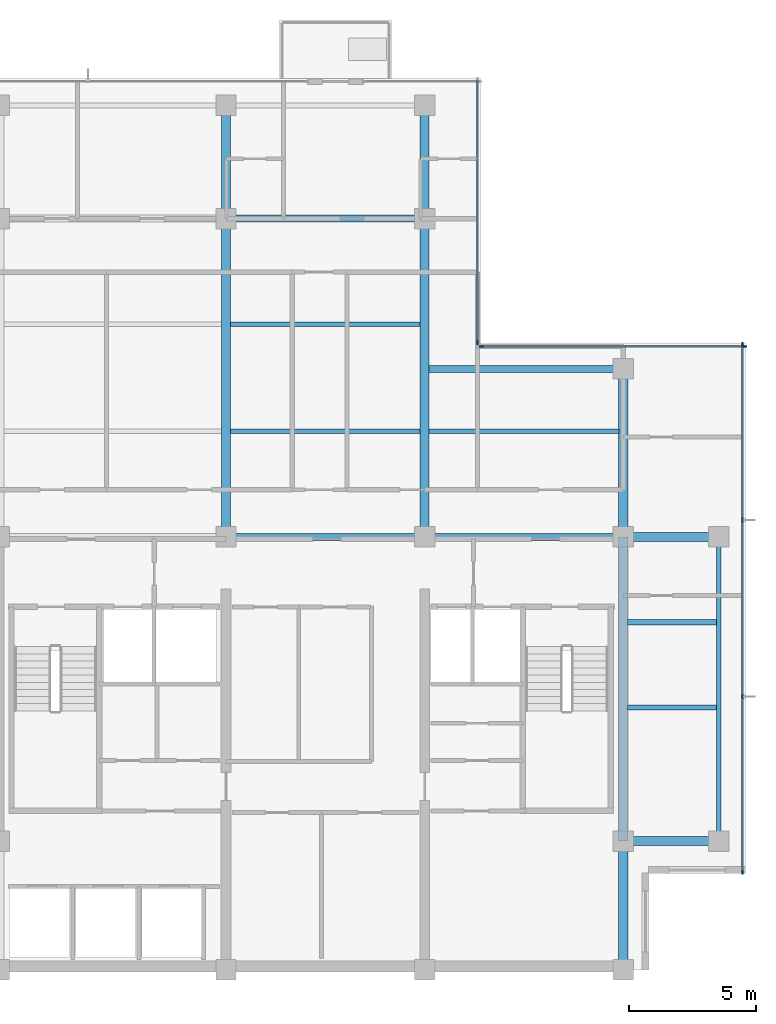
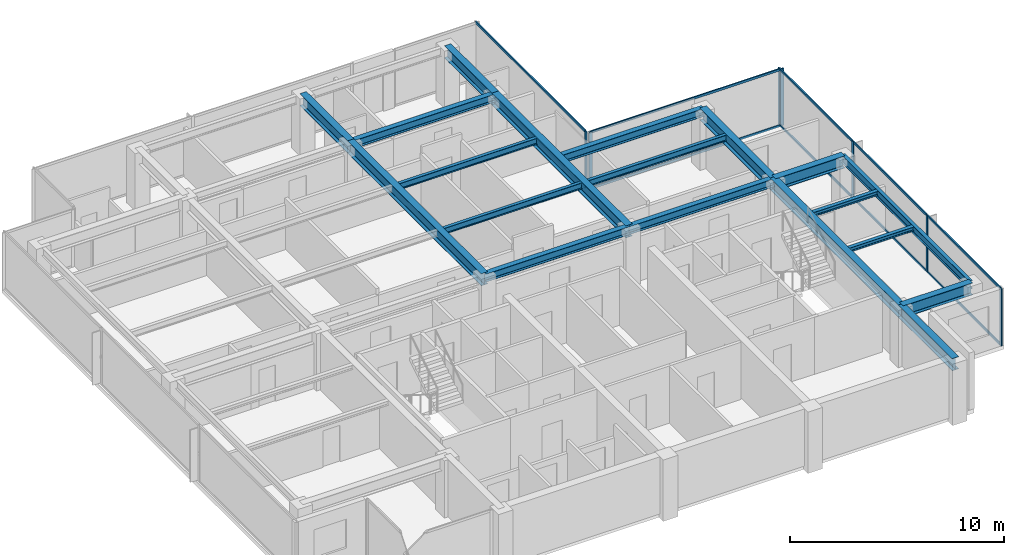
# One storey, part 3 of 11: 19 beams, 17 members, 3 elements without a shape of their own.
"""IFC4 building model written with IfcOpenShell, lengths in metres."""

from ifc_helpers import new_model, si_unit, direction, frame, origin, origin_2d, place, context, subcontext, project, spatial, rectangle, i_section, extrude, material, layer, layer_set, material_profile, profile_set, type_object, element, aggregate, save


model = new_model("IFC4")

# Units and contexts
model_context = context("Model", 3, precision=1e-05, world=origin(), true_north=direction((0.0, 1.0)))
body_context = subcontext(model_context, "Body", "Model", "MODEL_VIEW")
ifc_project = project(units=[si_unit("LENGTHUNIT", "METRE"), si_unit("AREAUNIT", "SQUARE_METRE"), si_unit("VOLUMEUNIT", "CUBIC_METRE"), si_unit("PLANEANGLEUNIT", "RADIAN"), si_unit("MASSUNIT", "GRAM", prefix="KILO")], contexts=[model_context])

# Site, building, storey
site_placement = place(None, origin())
site = spatial("IfcSite", under=ifc_project, at=site_placement, CompositionType="ELEMENT")
building_placement = place(site_placement, origin())
building = spatial("IfcBuilding", under=site, at=building_placement, Name="Qalmaran Belvedere Hotel", CompositionType="ELEMENT")
storey_placement = place(building_placement, frame((0.0, 0.0, 242.39990234375)))
storey = spatial("IfcBuildingStorey", under=building, at=storey_placement, Name="L62", CompositionType="ELEMENT", Elevation=242.39990234375)

# Beams
ifc_material_1 = material(Name="Steel S355JR", Category="steel")
ifc_material_profile_1 = material_profile(ifc_material_1, i_section(OverallWidth=0.201904296875, OverallDepth=0.2470703125, WebThickness=0.00732421875, FlangeThickness=0.010986328125, FilletRadius=0.011962890625, at=origin_2d()), Name="W250X49")
ifc_profile_set_1 = profile_set([ifc_material_profile_1], Name="Steel S355JR")
beam_type_1 = type_object("IfcBeamType", Name="BM-JST-W250X49", PredefinedType="JOIST", material=ifc_profile_set_1)
for number, where, z_axis, x_axis, name in (
    (1, (44.9755859375, 13.800048828125, 3.13671875), (1.0, 0.0, 0.0), (0.0, 1.0, 0.0), "L62 East Wing Joist 032"),
    (2, (44.9755859375, 17.14990234375, 3.13671875), (1.0, 0.0, 0.0), (0.0, 1.0, 0.0), "L62 East Wing Joist 034"),
):
    element("IfcBeam", number, at=place(storey_placement, frame(where, z_axis=z_axis, x_axis=x_axis)), inside=storey, type_object=beam_type_1, Name=name, PredefinedType="JOIST", context=body_context, shape_type="SweptSolid", body=[
        extrude(i_section(OverallWidth=0.201904296875, OverallDepth=0.2470703125, WebThickness=0.00732421875, FlangeThickness=0.010986328125, FilletRadius=0.011962890625, at=origin_2d()), origin(), (0.0, 0.0, 1.0), 3.48046875),
    ])
ifc_material_profile_2 = material_profile(ifc_material_1, i_section(OverallWidth=0.172119140625, OverallDepth=0.35791015625, WebThickness=0.0078125, FlangeThickness=0.01318359375, FilletRadius=0.014892578125, at=origin_2d()), Name="W360X57")
ifc_profile_set_2 = profile_set([ifc_material_profile_2], Name="Steel S355JR")
beam_type_2 = type_object("IfcBeamType", Name="BM-SB4-W360X57", PredefinedType="BEAM", material=ifc_profile_set_2)
for number, where, z_axis, x_axis, name in (
    (3, (29.37548828125, 24.64990234375, 3.0810546875), (1.0, 0.0, 0.0), (0.0, 1.0, 0.0), "L62 Secondary Floor Beam 026"),
    (4, (37.175537109375, 24.64990234375, 3.0810546875), (1.0, 0.0, 0.0), (0.0, 1.0, 0.0), "L62 Secondary Floor Beam 027"),
    (5, (29.37548828125, 28.85009765625, 3.0810546875), (1.0, 0.0, 0.0), (0.0, 1.0, 0.0), "L62 Secondary Floor Beam 030"),
):
    element("IfcBeam", number, at=place(storey_placement, frame(where, z_axis=z_axis, x_axis=x_axis)), inside=storey, type_object=beam_type_2, Name=name, PredefinedType="BEAM", context=body_context, shape_type="SweptSolid", body=[
        extrude(i_section(OverallWidth=0.172119140625, OverallDepth=0.35791015625, WebThickness=0.0078125, FlangeThickness=0.01318359375, FilletRadius=0.014892578125, at=origin_2d()), origin(), (0.0, 0.0, 1.0), 7.448974609375),
    ])
ifc_material_profile_3 = material_profile(ifc_material_1, i_section(OverallWidth=0.19189453125, OverallDepth=0.462890625, WebThickness=0.010498046875, FlangeThickness=0.017578125, FilletRadius=0.01611328125, at=origin_2d()), Name="W460X89")
ifc_profile_set_3 = profile_set([ifc_material_profile_3], Name="Steel S355JR")
beam_type_3 = type_object("IfcBeamType", Name="BM-SP2-W460X89", PredefinedType="SPANDREL", material=ifc_profile_set_3)
beam_1_placement = place(storey_placement, frame((48.550048828125, 8.550048828125, 3.028564453125), z_axis=(0.0, 1.0, 0.0), x_axis=(-1.0, 0.0, 0.0)))
element("IfcBeam", 6, at=beam_1_placement, inside=storey, type_object=beam_type_3, Name="L62 Perimeter Spandrel 03", PredefinedType="SPANDREL", context=body_context, shape_type="SweptSolid", body=[
    extrude(i_section(OverallWidth=0.19189453125, OverallDepth=0.462890625, WebThickness=0.010498046875, FlangeThickness=0.017578125, FilletRadius=0.01611328125, at=origin_2d()), origin(), (0.0, 0.0, 1.0), 11.949951171875),
])
ifc_material_profile_4 = material_profile(ifc_material_1, i_section(OverallWidth=0.35498046875, OverallDepth=0.695068359375, WebThickness=0.015380859375, FlangeThickness=0.02490234375, FilletRadius=0.02197265625, at=origin_2d()), Name="W690X217")
ifc_profile_set_4 = profile_set([ifc_material_profile_4], Name="Steel S355JR")
beam_type_4 = type_object("IfcBeamType", Name="BM-Z1-W690X217", PredefinedType="USERDEFINED", material=ifc_profile_set_4)
beam_2_placement = place(storey_placement, frame((29.199951171875, 20.5, 2.91259765625), z_axis=(0.0, 1.0, 0.0), x_axis=(-1.0, 0.0, 0.0)))
element("IfcBeam", 7, at=beam_2_placement, inside=storey, type_object=beam_type_4, Name="L62 Mid-Plate N-S Girder 13", ObjectType="GIRDER", PredefinedType="USERDEFINED", context=body_context, shape_type="SweptSolid", body=[
    extrude(i_section(OverallWidth=0.35498046875, OverallDepth=0.695068359375, WebThickness=0.015380859375, FlangeThickness=0.02490234375, FilletRadius=0.02197265625, at=origin_2d()), origin(), (0.0, 0.0, 1.0), 12.5),
])
beam_3_placement = place(storey_placement, frame((29.199951171875, 33.0, 2.91259765625), z_axis=(0.0, 1.0, 0.0), x_axis=(-1.0, 0.0, 0.0)))
element("IfcBeam", 8, at=beam_3_placement, inside=storey, type_object=beam_type_4, Name="L62 North Bay Girder 14", ObjectType="GIRDER", PredefinedType="USERDEFINED", context=body_context, shape_type="SweptSolid", body=[
    extrude(i_section(OverallWidth=0.35498046875, OverallDepth=0.695068359375, WebThickness=0.015380859375, FlangeThickness=0.02490234375, FilletRadius=0.02197265625, at=origin_2d()), origin(), (0.0, 0.0, 1.0), 4.449951171875),
])
beam_4_placement = place(storey_placement, frame((37.0, 20.5, 2.91259765625), z_axis=(0.0, 1.0, 0.0), x_axis=(-1.0, 0.0, 0.0)))
element("IfcBeam", 9, at=beam_4_placement, inside=storey, type_object=beam_type_4, Name="L62 Mid-Plate N-S Girder 15", ObjectType="GIRDER", PredefinedType="USERDEFINED", context=body_context, shape_type="SweptSolid", body=[
    extrude(i_section(OverallWidth=0.35498046875, OverallDepth=0.695068359375, WebThickness=0.015380859375, FlangeThickness=0.02490234375, FilletRadius=0.02197265625, at=origin_2d()), origin(), (0.0, 0.0, 1.0), 12.5),
])
beam_5_placement = place(storey_placement, frame((37.0, 33.0, 2.91259765625), z_axis=(0.0, 1.0, 0.0), x_axis=(-1.0, 0.0, 0.0)))
element("IfcBeam", 10, at=beam_5_placement, inside=storey, type_object=beam_type_4, Name="L62 North Bay Girder 16", ObjectType="GIRDER", PredefinedType="USERDEFINED", context=body_context, shape_type="SweptSolid", body=[
    extrude(i_section(OverallWidth=0.35498046875, OverallDepth=0.695068359375, WebThickness=0.015380859375, FlangeThickness=0.02490234375, FilletRadius=0.02197265625, at=origin_2d()), origin(), (0.0, 0.0, 1.0), 4.449951171875),
])
beam_6_placement = place(storey_placement, frame((44.800048828125, 20.5, 2.91259765625), z_axis=(0.0, 1.0, 0.0), x_axis=(-1.0, 0.0, 0.0)))
element("IfcBeam", 11, at=beam_6_placement, inside=storey, type_object=beam_type_4, Name="L62 Mid-Plate N-S Girder 17", ObjectType="GIRDER", PredefinedType="USERDEFINED", context=body_context, shape_type="SweptSolid", body=[
    extrude(i_section(OverallWidth=0.35498046875, OverallDepth=0.695068359375, WebThickness=0.015380859375, FlangeThickness=0.02490234375, FilletRadius=0.02197265625, at=origin_2d()), origin(), (0.0, 0.0, 1.0), 6.60009765625),
])
beam_7_placement = place(storey_placement, frame((44.800048828125, 3.5, 2.91259765625), z_axis=(0.0, 1.0, 0.0), x_axis=(-1.0, 0.0, 0.0)))
element("IfcBeam", 12, at=beam_7_placement, inside=storey, type_object=beam_type_4, Name="L62 East Core Edge Girder A", ObjectType="GIRDER", PredefinedType="USERDEFINED", context=body_context, shape_type="SweptSolid", body=[
    extrude(i_section(OverallWidth=0.35498046875, OverallDepth=0.695068359375, WebThickness=0.015380859375, FlangeThickness=0.02490234375, FilletRadius=0.02197265625, at=origin_2d()), origin(), (0.0, 0.0, 1.0), 5.050048828125),
])
beam_8_placement = place(storey_placement, frame((44.800048828125, 8.550048828125, 2.91259765625), z_axis=(0.0, 1.0, 0.0), x_axis=(-1.0, 0.0, 0.0)))
element("IfcBeam", 13, at=beam_8_placement, inside=storey, type_object=beam_type_4, Name="L62 East Core Edge Girder B", ObjectType="GIRDER", PredefinedType="USERDEFINED", context=body_context, shape_type="SweptSolid", body=[
    extrude(i_section(OverallWidth=0.35498046875, OverallDepth=0.695068359375, WebThickness=0.015380859375, FlangeThickness=0.02490234375, FilletRadius=0.02197265625, at=origin_2d()), origin(), (0.0, 0.0, 1.0), 11.949951171875),
])
for number, where, z_axis, x_axis, name in (
    (14, (44.800048828125, 8.550048828125, 2.91259765625), (1.0, 0.0, 0.0), (0.0, 1.0, 0.0), "L62 East Wing Girder 22"),
    (15, (44.800048828125, 20.5, 2.91259765625), (1.0, 0.0, 0.0), (0.0, 1.0, 0.0), "L62 East Wing Girder 23"),
):
    element("IfcBeam", number, at=place(storey_placement, frame(where, z_axis=z_axis, x_axis=x_axis)), inside=storey, type_object=beam_type_4, Name=name, ObjectType="GIRDER", PredefinedType="USERDEFINED", context=body_context, shape_type="SweptSolid", body=[
        extrude(i_section(OverallWidth=0.35498046875, OverallDepth=0.695068359375, WebThickness=0.015380859375, FlangeThickness=0.02490234375, FilletRadius=0.02197265625, at=origin_2d()), origin(), (0.0, 0.0, 1.0), 3.75),
    ])
ifc_material_profile_5 = material_profile(ifc_material_1, i_section(OverallWidth=0.280029296875, OverallDepth=0.462890625, WebThickness=0.0107421875, FlangeThickness=0.017333984375, FilletRadius=0.01611328125, at=origin_2d()), Name="W460X113")
ifc_profile_set_5 = profile_set([ifc_material_profile_5], Name="Steel S355JR")
beam_type_5 = type_object("IfcBeamType", Name="BM-Z5-W460X113", PredefinedType="USERDEFINED", material=ifc_profile_set_5)
for number, where, z_axis, x_axis, name in (
    (16, (29.199951171875, 20.5, 3.028564453125), (1.0, 0.0, 0.0), (0.0, 1.0, 0.0), "L62 Interior E-W Girder 07"),
    (17, (37.0, 20.5, 3.028564453125), (1.0, 0.0, 0.0), (0.0, 1.0, 0.0), "L62 Interior E-W Girder 08"),
    (18, (29.199951171875, 33.0, 3.028564453125), (1.0, 0.0, 0.0), (0.0, 1.0, 0.0), "L62 Interior E-W Girder 10"),
):
    element("IfcBeam", number, at=place(storey_placement, frame(where, z_axis=z_axis, x_axis=x_axis)), inside=storey, type_object=beam_type_5, Name=name, ObjectType="GIRDER", PredefinedType="USERDEFINED", context=body_context, shape_type="SweptSolid", body=[
        extrude(i_section(OverallWidth=0.280029296875, OverallDepth=0.462890625, WebThickness=0.0107421875, FlangeThickness=0.017333984375, FilletRadius=0.01611328125, at=origin_2d()), origin(), (0.0, 0.0, 1.0), 7.800048828125),
    ])
beam_9_placement = place(storey_placement, frame((37.175537109375, 27.10009765625, 3.028564453125), z_axis=(1.0, 0.0, 0.0), x_axis=(0.0, 1.0, 0.0)))
element("IfcBeam", 19, at=beam_9_placement, inside=storey, type_object=beam_type_5, Name="L62 North-East Notch Rim Girder", ObjectType="GIRDER", PredefinedType="USERDEFINED", context=body_context, shape_type="SweptSolid", body=[
    extrude(i_section(OverallWidth=0.280029296875, OverallDepth=0.462890625, WebThickness=0.0107421875, FlangeThickness=0.017333984375, FilletRadius=0.01611328125, at=origin_2d()), origin(), (0.0, 0.0, 1.0), 7.62451171875),
])

# Curtain wall, members
ifc_material_2 = material(Name="Anodised Bronze Aluminium", Category="aluminium")
ifc_layer = layer(ifc_material_2, 0.18505859375, Name="Anodised Bronze Aluminium")
ifc_layer_set = layer_set([ifc_layer], Name="Anodised Bronze Aluminium")
curtain_wall_type = type_object("IfcCurtainWallType", Name="CW6-TOWER-SKY", PredefinedType="NOTDEFINED", material=ifc_layer_set)
curtain_wall_1_placement = place(storey_placement, origin())
curtain_wall_1 = element("IfcCurtainWall", 20, at=curtain_wall_1_placement, inside=storey, type_object=curtain_wall_type, Name="L62 Curtain Wall CW6", PredefinedType="NOTDEFINED")
ifc_material_profile_6 = material_profile(ifc_material_2, rectangle(XDim=0.06494140625, YDim=0.1650390625, at=origin_2d()), Name="CWM65X165")
ifc_profile_set_6 = profile_set([ifc_material_profile_6], Name="Anodised Bronze Aluminium")
member_type_1 = type_object("IfcMemberType", Name="CWM-65X165", PredefinedType="MULLION", material=ifc_profile_set_6)
member_1_placement = place(storey_placement, frame((49.47998046875, 7.33251953125, 0.0), z_axis=(0.0, 0.0, 1.0), x_axis=(-1.0, 0.0, 0.0)))
member_1 = element("IfcMember", 21, at=member_1_placement, type_object=member_type_1, Name="CW6 mullion 1", PredefinedType="MULLION", context=body_context, shape_type="SweptSolid", body=[
    extrude(rectangle(XDim=0.06494140625, YDim=0.1650390625, at=origin_2d()), origin(), (0.0, 0.0, 1.0), 3.260009765625),
])
member_2_placement = place(storey_placement, frame((49.47998046875, 14.2333984375, 0.0), z_axis=(0.0, 0.0, 1.0), x_axis=(-1.0, 0.0, 0.0)))
member_2 = element("IfcMember", 22, at=member_2_placement, type_object=member_type_1, Name="CW6 mullion 2", PredefinedType="MULLION", context=body_context, shape_type="SweptSolid", body=[
    extrude(rectangle(XDim=0.06494140625, YDim=0.1650390625, at=origin_2d()), origin(), (0.0, 0.0, 1.0), 3.260009765625),
])
member_3_placement = place(storey_placement, frame((49.47998046875, 21.166748046875, 0.0), z_axis=(0.0, 0.0, 1.0), x_axis=(-1.0, 0.0, 0.0)))
member_3 = element("IfcMember", 23, at=member_3_placement, type_object=member_type_1, Name="CW6 mullion 3", PredefinedType="MULLION", context=body_context, shape_type="SweptSolid", body=[
    extrude(rectangle(XDim=0.06494140625, YDim=0.1650390625, at=origin_2d()), origin(), (0.0, 0.0, 1.0), 3.260009765625),
])
member_4_placement = place(storey_placement, frame((49.47998046875, 28.0673828125, 0.0), z_axis=(0.0, 0.0, 1.0), x_axis=(-1.0, 0.0, 0.0)))
member_4 = element("IfcMember", 24, at=member_4_placement, type_object=member_type_1, Name="CW6 mullion 4", PredefinedType="MULLION", context=body_context, shape_type="SweptSolid", body=[
    extrude(rectangle(XDim=0.06494140625, YDim=0.1650390625, at=origin_2d()), origin(), (0.0, 0.0, 1.0), 3.260009765625),
])

curtain_wall_2_placement = place(storey_placement, origin())
curtain_wall_2 = element("IfcCurtainWall", 25, at=curtain_wall_2_placement, inside=storey, type_object=curtain_wall_type, Name="L62 Curtain Wall CW6", PredefinedType="NOTDEFINED")
member_5_placement = place(storey_placement, frame((49.5673828125, 27.97998046875, 0.0), z_axis=(0.0, 0.0, 1.0), x_axis=(0.0, -1.0, 0.0)))
member_5 = element("IfcMember", 26, at=member_5_placement, type_object=member_type_1, Name="CW6 mullion 1", PredefinedType="MULLION", context=body_context, shape_type="SweptSolid", body=[
    extrude(rectangle(XDim=0.06494140625, YDim=0.1650390625, at=origin_2d()), origin(), (0.0, 0.0, 1.0), 3.260009765625),
])
member_6_placement = place(storey_placement, frame((39.232421875, 27.97998046875, 0.0), z_axis=(0.0, 0.0, 1.0), x_axis=(0.0, -1.0, 0.0)))
member_6 = element("IfcMember", 27, at=member_6_placement, type_object=member_type_1, Name="CW6 mullion 2", PredefinedType="MULLION", context=body_context, shape_type="SweptSolid", body=[
    extrude(rectangle(XDim=0.06494140625, YDim=0.1650390625, at=origin_2d()), origin(), (0.0, 0.0, 1.0), 3.260009765625),
])

# Curtain wall, member
curtain_wall_3_placement = place(storey_placement, origin())
curtain_wall_3 = element("IfcCurtainWall", 28, at=curtain_wall_3_placement, inside=storey, type_object=curtain_wall_type, Name="L62 Curtain Wall CW6", PredefinedType="NOTDEFINED")
member_7_placement = place(storey_placement, frame((39.080078125, 28.132568359375, 0.0), z_axis=(0.0, 0.0, 1.0), x_axis=(-1.0, 0.0, 0.0)))
member_7 = element("IfcMember", 29, at=member_7_placement, type_object=member_type_1, Name="CW6 mullion 1", PredefinedType="MULLION", context=body_context, shape_type="SweptSolid", body=[
    extrude(rectangle(XDim=0.06494140625, YDim=0.1650390625, at=origin_2d()), origin(), (0.0, 0.0, 1.0), 3.260009765625),
])

# Member
ifc_material_profile_7 = material_profile(ifc_material_2, rectangle(XDim=0.06494140625, YDim=0.1298828125, at=origin_2d()), Name="CWT65X130")
ifc_profile_set_7 = profile_set([ifc_material_profile_7], Name="Anodised Bronze Aluminium")
member_type_2 = type_object("IfcMemberType", Name="CWT-65X130", PredefinedType="USERDEFINED", material=ifc_profile_set_7)
member_8_placement = place(storey_placement, frame((49.47998046875, 7.364990234375, 0.03271484375), z_axis=(0.0, 1.0, 0.0), x_axis=(-1.0, 0.0, 0.0)))
member_8 = element("IfcMember", 30, at=member_8_placement, type_object=member_type_2, Name="CW6 transom 1.1", ObjectType="TRANSOM", PredefinedType="USERDEFINED", context=body_context, shape_type="SweptSolid", body=[
    extrude(rectangle(XDim=0.06494140625, YDim=0.1298828125, at=origin_2d()), origin(), (0.0, 0.0, 1.0), 6.8359375),
])

member_9_placement = place(storey_placement, frame((49.47998046875, 7.364990234375, 3.2275390625), z_axis=(0.0, 1.0, 0.0), x_axis=(-1.0, 0.0, 0.0)))
member_9 = element("IfcMember", 31, at=member_9_placement, type_object=member_type_2, Name="CW6 transom 1.2", ObjectType="TRANSOM", PredefinedType="USERDEFINED", context=body_context, shape_type="SweptSolid", body=[
    extrude(rectangle(XDim=0.06494140625, YDim=0.1298828125, at=origin_2d()), origin(), (0.0, 0.0, 1.0), 6.8359375),
])

member_10_placement = place(storey_placement, frame((49.47998046875, 14.265869140625, 0.03271484375), z_axis=(0.0, 1.0, 0.0), x_axis=(-1.0, 0.0, 0.0)))
member_10 = element("IfcMember", 32, at=member_10_placement, type_object=member_type_2, Name="CW6 transom 2.1", ObjectType="TRANSOM", PredefinedType="USERDEFINED", context=body_context, shape_type="SweptSolid", body=[
    extrude(rectangle(XDim=0.06494140625, YDim=0.1298828125, at=origin_2d()), origin(), (0.0, 0.0, 1.0), 6.868408203125),
])

member_11_placement = place(storey_placement, frame((49.47998046875, 14.265869140625, 3.2275390625), z_axis=(0.0, 1.0, 0.0), x_axis=(-1.0, 0.0, 0.0)))
member_11 = element("IfcMember", 33, at=member_11_placement, type_object=member_type_2, Name="CW6 transom 2.2", ObjectType="TRANSOM", PredefinedType="USERDEFINED", context=body_context, shape_type="SweptSolid", body=[
    extrude(rectangle(XDim=0.06494140625, YDim=0.1298828125, at=origin_2d()), origin(), (0.0, 0.0, 1.0), 6.868408203125),
])

member_12_placement = place(storey_placement, frame((49.47998046875, 21.19921875, 0.03271484375), z_axis=(0.0, 1.0, 0.0), x_axis=(-1.0, 0.0, 0.0)))
member_12 = element("IfcMember", 34, at=member_12_placement, type_object=member_type_2, Name="CW6 transom 3.1", ObjectType="TRANSOM", PredefinedType="USERDEFINED", context=body_context, shape_type="SweptSolid", body=[
    extrude(rectangle(XDim=0.06494140625, YDim=0.1298828125, at=origin_2d()), origin(), (0.0, 0.0, 1.0), 6.835693359375),
])

member_13_placement = place(storey_placement, frame((49.47998046875, 21.19921875, 3.2275390625), z_axis=(0.0, 1.0, 0.0), x_axis=(-1.0, 0.0, 0.0)))
member_13 = element("IfcMember", 35, at=member_13_placement, type_object=member_type_2, Name="CW6 transom 3.2", ObjectType="TRANSOM", PredefinedType="USERDEFINED", context=body_context, shape_type="SweptSolid", body=[
    extrude(rectangle(XDim=0.06494140625, YDim=0.1298828125, at=origin_2d()), origin(), (0.0, 0.0, 1.0), 6.835693359375),
])

aggregate(curtain_wall_1, [member_1, member_2, member_3, member_4, member_8, member_9, member_10, member_11, member_12, member_13])

member_14_placement = place(storey_placement, frame((49.534912109375, 27.97998046875, 0.03271484375), z_axis=(-1.0, 0.0, 0.0), x_axis=(0.0, -1.0, 0.0)))
member_14 = element("IfcMember", 36, at=member_14_placement, type_object=member_type_2, Name="CW6 transom 1.1", ObjectType="TRANSOM", PredefinedType="USERDEFINED", context=body_context, shape_type="SweptSolid", body=[
    extrude(rectangle(XDim=0.06494140625, YDim=0.1298828125, at=origin_2d()), origin(), (0.0, 0.0, 1.0), 10.27001953125),
])

member_15_placement = place(storey_placement, frame((49.534912109375, 27.97998046875, 3.2275390625), z_axis=(-1.0, 0.0, 0.0), x_axis=(0.0, -1.0, 0.0)))
member_15 = element("IfcMember", 37, at=member_15_placement, type_object=member_type_2, Name="CW6 transom 1.2", ObjectType="TRANSOM", PredefinedType="USERDEFINED", context=body_context, shape_type="SweptSolid", body=[
    extrude(rectangle(XDim=0.06494140625, YDim=0.1298828125, at=origin_2d()), origin(), (0.0, 0.0, 1.0), 10.27001953125),
])

aggregate(curtain_wall_2, [member_5, member_6, member_14, member_15])

member_16_placement = place(storey_placement, frame((39.080078125, 28.1650390625, 0.03271484375), z_axis=(0.0, 1.0, 0.0), x_axis=(-1.0, 0.0, 0.0)))
member_16 = element("IfcMember", 38, at=member_16_placement, type_object=member_type_2, Name="CW6 transom 1.1", ObjectType="TRANSOM", PredefinedType="USERDEFINED", context=body_context, shape_type="SweptSolid", body=[
    extrude(rectangle(XDim=0.06494140625, YDim=0.1298828125, at=origin_2d()), origin(), (0.0, 0.0, 1.0), 10.27001953125),
])

member_17_placement = place(storey_placement, frame((39.080078125, 28.1650390625, 3.2275390625), z_axis=(0.0, 1.0, 0.0), x_axis=(-1.0, 0.0, 0.0)))
member_17 = element("IfcMember", 39, at=member_17_placement, type_object=member_type_2, Name="CW6 transom 1.2", ObjectType="TRANSOM", PredefinedType="USERDEFINED", context=body_context, shape_type="SweptSolid", body=[
    extrude(rectangle(XDim=0.06494140625, YDim=0.1298828125, at=origin_2d()), origin(), (0.0, 0.0, 1.0), 10.27001953125),
])

aggregate(curtain_wall_3, [member_7, member_16, member_17])

save(model, "model.ifc")
